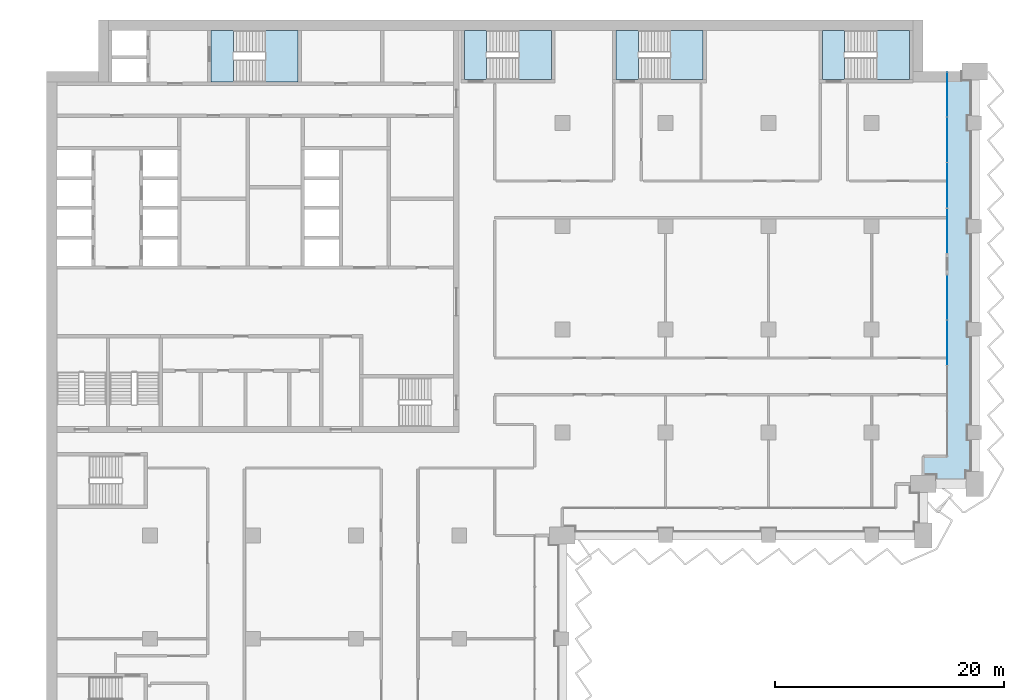
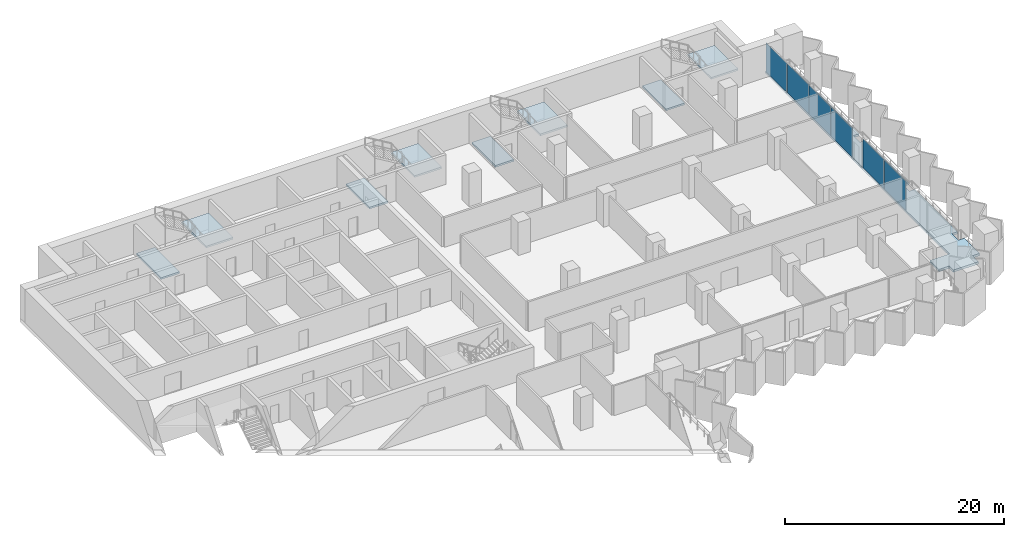
# One storey, part 8 of 22: 9 slabs, 6 plates, 6 elements without a shape of their own.
"""IFC4 building model written with IfcOpenShell, lengths in metres."""

from ifc_helpers import new_model, si_unit, direction, frame, origin, origin_2d, place, context, subcontext, project, spatial, polyline, rectangle, outline, extrude, material, layer, layer_set, type_object, element, aggregate, save


model = new_model("IFC4")

# Units and contexts
model_context = context("Model", 3, precision=1e-05, world=origin(), true_north=direction((0.0, 1.0)))
body_context = subcontext(model_context, "Body", "Model", "MODEL_VIEW")
ifc_project = project(units=[si_unit("LENGTHUNIT", "METRE"), si_unit("AREAUNIT", "SQUARE_METRE"), si_unit("VOLUMEUNIT", "CUBIC_METRE"), si_unit("PLANEANGLEUNIT", "RADIAN"), si_unit("MASSUNIT", "GRAM", prefix="KILO")], contexts=[model_context])

# Site, building, storey
site_placement = place(None, origin())
site = spatial("IfcSite", under=ifc_project, at=site_placement, CompositionType="ELEMENT")
building_placement = place(site_placement, origin())
building = spatial("IfcBuilding", under=site, at=building_placement, Name="Hunhe Ridgeline Campus", CompositionType="ELEMENT")
storey_placement = place(building_placement, frame((0.0, 0.0, 118.10009765625)))
storey = spatial("IfcBuildingStorey", under=building, at=storey_placement, Name="L29", CompositionType="ELEMENT", Elevation=118.10009765625)

# Curtain wall, plates
ifc_material_1 = material(Name="Aluminium 6063", Category="aluminium")
curtain_wall_type = type_object("IfcCurtainWallType", Name="Curtain wall CW-1", PredefinedType="NOTDEFINED", material=ifc_material_1)
curtain_wall_1_placement = place(storey_placement, origin())
curtain_wall_1 = element("IfcCurtainWall", 1, at=curtain_wall_1_placement, inside=storey, type_object=curtain_wall_type, Name="Curtain wall 14", PredefinedType="NOTDEFINED")
ifc_material_2 = material(Name="Low-e laminated glass", Category="glass")
ifc_layer_1 = layer(ifc_material_2, 0.028076171875)
ifc_layer_set_1 = layer_set([ifc_layer_1], Name="Curtain wall glass panel 28 low-e laminated")
plate_type = type_object("IfcPlateType", Name="Curtain wall glass panel 28 low-e laminated", PredefinedType="CURTAIN_PANEL", material=ifc_layer_set_1)
plate_1_placement = place(storey_placement, frame((78.59912109375, 70.838134765625, 0.0), z_axis=(0.0, 0.0, 1.0), x_axis=(0.0, 1.0, 0.0)))
plate_1 = element("IfcPlate", 2, at=plate_1_placement, type_object=plate_type, Name="CW-1 panel 3", PredefinedType="CURTAIN_PANEL", context=body_context, shape_type="SweptSolid", body=[
    extrude(rectangle(XDim=3.914794921875, YDim=0.028076171875, at=origin_2d()), origin(), (0.0, 0.0, 1.0), 3.239990234375),
])
plate_2_placement = place(storey_placement, frame((78.59912109375, 74.798095703125, 0.0), z_axis=(0.0, 0.0, 1.0), x_axis=(0.0, 1.0, 0.0)))
plate_2 = element("IfcPlate", 3, at=plate_2_placement, type_object=plate_type, Name="CW-1 panel 4", PredefinedType="CURTAIN_PANEL", context=body_context, shape_type="SweptSolid", body=[
    extrude(rectangle(XDim=3.884765625, YDim=0.028076171875, at=origin_2d()), origin(), (0.0, 0.0, 1.0), 3.239990234375),
])
aggregate(curtain_wall_1, [plate_1, plate_2])

curtain_wall_2_placement = place(storey_placement, origin())
curtain_wall_2 = element("IfcCurtainWall", 4, at=curtain_wall_2_placement, inside=storey, type_object=curtain_wall_type, Name="Curtain wall 15", PredefinedType="NOTDEFINED")
plate_3_placement = place(storey_placement, frame((78.59912109375, 80.60302734375, 0.0), z_axis=(0.0, 0.0, 1.0), x_axis=(0.0, 1.0, 0.0)))
plate_3 = element("IfcPlate", 5, at=plate_3_placement, type_object=plate_type, Name="CW-1 panel 1", PredefinedType="CURTAIN_PANEL", context=body_context, shape_type="SweptSolid", body=[
    extrude(rectangle(XDim=3.884765625, YDim=0.028076171875, at=origin_2d()), origin(), (0.0, 0.0, 1.0), 3.239990234375),
])
plate_4_placement = place(storey_placement, frame((78.59912109375, 84.562744140625, 0.0), z_axis=(0.0, 0.0, 1.0), x_axis=(0.0, 1.0, 0.0)))
plate_4 = element("IfcPlate", 6, at=plate_4_placement, type_object=plate_type, Name="CW-1 panel 2", PredefinedType="CURTAIN_PANEL", context=body_context, shape_type="SweptSolid", body=[
    extrude(rectangle(XDim=3.914794921875, YDim=0.028076171875, at=origin_2d()), origin(), (0.0, 0.0, 1.0), 3.239990234375),
])
plate_5_placement = place(storey_placement, frame((78.59912109375, 88.53759765625, 0.0), z_axis=(0.0, 0.0, 1.0), x_axis=(0.0, 1.0, 0.0)))
plate_5 = element("IfcPlate", 7, at=plate_5_placement, type_object=plate_type, Name="CW-1 panel 3", PredefinedType="CURTAIN_PANEL", context=body_context, shape_type="SweptSolid", body=[
    extrude(rectangle(XDim=3.914794921875, YDim=0.028076171875, at=origin_2d()), origin(), (0.0, 0.0, 1.0), 3.239990234375),
])
plate_6_placement = place(storey_placement, frame((78.59912109375, 92.49755859375, 0.0), z_axis=(0.0, 0.0, 1.0), x_axis=(0.0, 1.0, 0.0)))
plate_6 = element("IfcPlate", 8, at=plate_6_placement, type_object=plate_type, Name="CW-1 panel 4", PredefinedType="CURTAIN_PANEL", context=body_context, shape_type="SweptSolid", body=[
    extrude(rectangle(XDim=3.884765625, YDim=0.028076171875, at=origin_2d()), origin(), (0.0, 0.0, 1.0), 3.239990234375),
])
aggregate(curtain_wall_2, [plate_3, plate_4, plate_5, plate_6])

# Slab
ifc_material_3 = material(Name="Concrete C40", Category="concrete")
ifc_layer_2 = layer(ifc_material_3, 0.25)
ifc_layer_set_2 = layer_set([ifc_layer_2], Name="Loggia slab 250 Concrete C40")
slab_type_1 = type_object("IfcSlabType", Name="Loggia slab 250 Concrete C40", PredefinedType="FLOOR", material=ifc_layer_set_2)
slab_1_placement = place(storey_placement, frame((0.0, 0.0, -0.25)))
element("IfcSlab", 9, at=slab_1_placement, inside=storey, type_object=slab_type_1, Name="Loggia slab 3", PredefinedType="FLOOR", context=body_context, shape_type="SweptSolid", body=[
    extrude(outline(polyline([(76.5, 59.25), (77.60009765625, 59.25), (77.60009765625, 58.5), (80.25, 58.5), (80.25, 59.60009765625), (81.0, 59.60009765625), (81.0, 62.39990234375), (80.39990234375, 62.39990234375), (80.39990234375, 63.60009765625), (81.0, 63.60009765625), (81.0, 71.39990234375), (80.39990234375, 71.39990234375), (80.39990234375, 72.60009765625), (81.0, 72.60009765625), (81.0, 80.39990234375), (80.39990234375, 80.39990234375), (80.39990234375, 81.60009765625), (81.0, 81.60009765625), (81.0, 89.39990234375), (80.39990234375, 89.39990234375), (80.39990234375, 90.60009765625), (81.0, 90.60009765625), (81.0, 93.75), (79.89990234375, 93.75), (79.89990234375, 94.5), (78.60009765625, 94.5), (78.60009765625, 60.89990234375), (76.5, 60.89990234375), (76.5, 59.25)])), origin(), (0.0, 0.0, 1.0), 0.25),
])

# Stair, slab
stair_type = type_object("IfcStairType", Name="Reinforced concrete dog-leg stair 1950 Concrete C40", PredefinedType="HALF_TURN_STAIR", material=ifc_material_3)
stair_1_placement = place(storey_placement, origin())
stair_1 = element("IfcStair", 10, at=stair_1_placement, inside=storey, type_object=stair_type, Name="L29 S1", PredefinedType="HALF_TURN_STAIR")
ifc_layer_3 = layer(ifc_material_3, 0.199951171875)
ifc_layer_set_3 = layer_set([ifc_layer_3], Name="Reinforced concrete stair landing 200 Concrete C40")
slab_type_2 = type_object("IfcSlabType", Name="Reinforced concrete stair landing 200 Concrete C40", PredefinedType="LANDING", material=ifc_layer_set_3)
slab_2_placement = place(storey_placement, frame((0.0, 0.0, 1.64990234375)))
slab_2 = element("IfcSlab", 11, at=slab_2_placement, type_object=slab_type_2, Name="ST1 landing 1", PredefinedType="LANDING", context=body_context, shape_type="SweptSolid", body=[
    extrude(outline(polyline([(19.10009765625, 93.60009765625), (21.949951171875, 93.60009765625), (21.949951171875, 98.10009765625), (19.10009765625, 98.10009765625), (19.10009765625, 93.60009765625)])), origin(), (0.0, 0.0, 1.0), 0.199951171875),
])
aggregate(stair_1, [slab_2])

# Slab
slab_3_placement = place(storey_placement, frame((0.0, 0.0, -0.2001953125)))
element("IfcSlab", 12, at=slab_3_placement, inside=storey, type_object=slab_type_2, Name="L29 stair S1 floor landing", PredefinedType="LANDING", context=body_context, shape_type="SweptSolid", body=[
    extrude(outline(polyline([(14.35009765625, 93.60009765625), (16.300048828125, 93.60009765625), (16.300048828125, 98.10009765625), (14.35009765625, 98.10009765625), (14.35009765625, 93.60009765625)])), origin(), (0.0, 0.0, 1.0), 0.2001953125),
])

# Stair, slab
stair_2_placement = place(storey_placement, origin())
stair_2 = element("IfcStair", 13, at=stair_2_placement, inside=storey, type_object=stair_type, Name="L29 E1", PredefinedType="HALF_TURN_STAIR")
slab_4_placement = place(storey_placement, frame((0.0, 0.0, 1.64990234375)))
slab_4 = element("IfcSlab", 14, at=slab_4_placement, type_object=slab_type_2, Name="ST5 landing 1", PredefinedType="LANDING", context=body_context, shape_type="SweptSolid", body=[
    extrude(outline(polyline([(41.199951171875, 93.800048828125), (44.050048828125, 93.800048828125), (44.050048828125, 98.10009765625), (41.199951171875, 98.10009765625), (41.199951171875, 93.800048828125)])), origin(), (0.0, 0.0, 1.0), 0.199951171875),
])
aggregate(stair_2, [slab_4])

# Slab
slab_5_placement = place(storey_placement, frame((0.0, 0.0, -0.2001953125)))
element("IfcSlab", 15, at=slab_5_placement, inside=storey, type_object=slab_type_2, Name="L29 stair E1 floor landing", PredefinedType="LANDING", context=body_context, shape_type="SweptSolid", body=[
    extrude(outline(polyline([(36.449951171875, 93.800048828125), (38.39990234375, 93.800048828125), (38.39990234375, 98.10009765625), (36.449951171875, 98.10009765625), (36.449951171875, 93.800048828125)])), origin(), (0.0, 0.0, 1.0), 0.2001953125),
])

# Stair, slab
stair_3_placement = place(storey_placement, origin())
stair_3 = element("IfcStair", 16, at=stair_3_placement, inside=storey, type_object=stair_type, Name="L29 E2", PredefinedType="HALF_TURN_STAIR")
slab_6_placement = place(storey_placement, frame((0.0, 0.0, 1.64990234375)))
slab_6 = element("IfcSlab", 17, at=slab_6_placement, type_object=slab_type_2, Name="ST6 landing 1", PredefinedType="LANDING", context=body_context, shape_type="SweptSolid", body=[
    extrude(outline(polyline([(54.449951171875, 93.800048828125), (57.300048828125, 93.800048828125), (57.300048828125, 98.10009765625), (54.449951171875, 98.10009765625), (54.449951171875, 93.800048828125)])), origin(), (0.0, 0.0, 1.0), 0.199951171875),
])
aggregate(stair_3, [slab_6])

# Slab
slab_7_placement = place(storey_placement, frame((0.0, 0.0, -0.2001953125)))
element("IfcSlab", 18, at=slab_7_placement, inside=storey, type_object=slab_type_2, Name="L29 stair E2 floor landing", PredefinedType="LANDING", context=body_context, shape_type="SweptSolid", body=[
    extrude(outline(polyline([(49.699951171875, 93.800048828125), (51.64990234375, 93.800048828125), (51.64990234375, 98.10009765625), (49.699951171875, 98.10009765625), (49.699951171875, 93.800048828125)])), origin(), (0.0, 0.0, 1.0), 0.2001953125),
])

# Stair, slab
stair_4_placement = place(storey_placement, origin())
stair_4 = element("IfcStair", 19, at=stair_4_placement, inside=storey, type_object=stair_type, Name="L29 E3", PredefinedType="HALF_TURN_STAIR")
slab_8_placement = place(storey_placement, frame((0.0, 0.0, 1.64990234375)))
slab_8 = element("IfcSlab", 20, at=slab_8_placement, type_object=slab_type_2, Name="ST7 landing 1", PredefinedType="LANDING", context=body_context, shape_type="SweptSolid", body=[
    extrude(outline(polyline([(72.449951171875, 93.800048828125), (75.300048828125, 93.800048828125), (75.300048828125, 98.10009765625), (72.449951171875, 98.10009765625), (72.449951171875, 93.800048828125)])), origin(), (0.0, 0.0, 1.0), 0.199951171875),
])
aggregate(stair_4, [slab_8])

# Slab
slab_9_placement = place(storey_placement, frame((0.0, 0.0, -0.2001953125)))
element("IfcSlab", 21, at=slab_9_placement, inside=storey, type_object=slab_type_2, Name="L29 stair E3 floor landing", PredefinedType="LANDING", context=body_context, shape_type="SweptSolid", body=[
    extrude(outline(polyline([(67.699951171875, 93.800048828125), (69.64990234375, 93.800048828125), (69.64990234375, 98.10009765625), (67.699951171875, 98.10009765625), (67.699951171875, 93.800048828125)])), origin(), (0.0, 0.0, 1.0), 0.2001953125),
])

save(model, "model.ifc")
